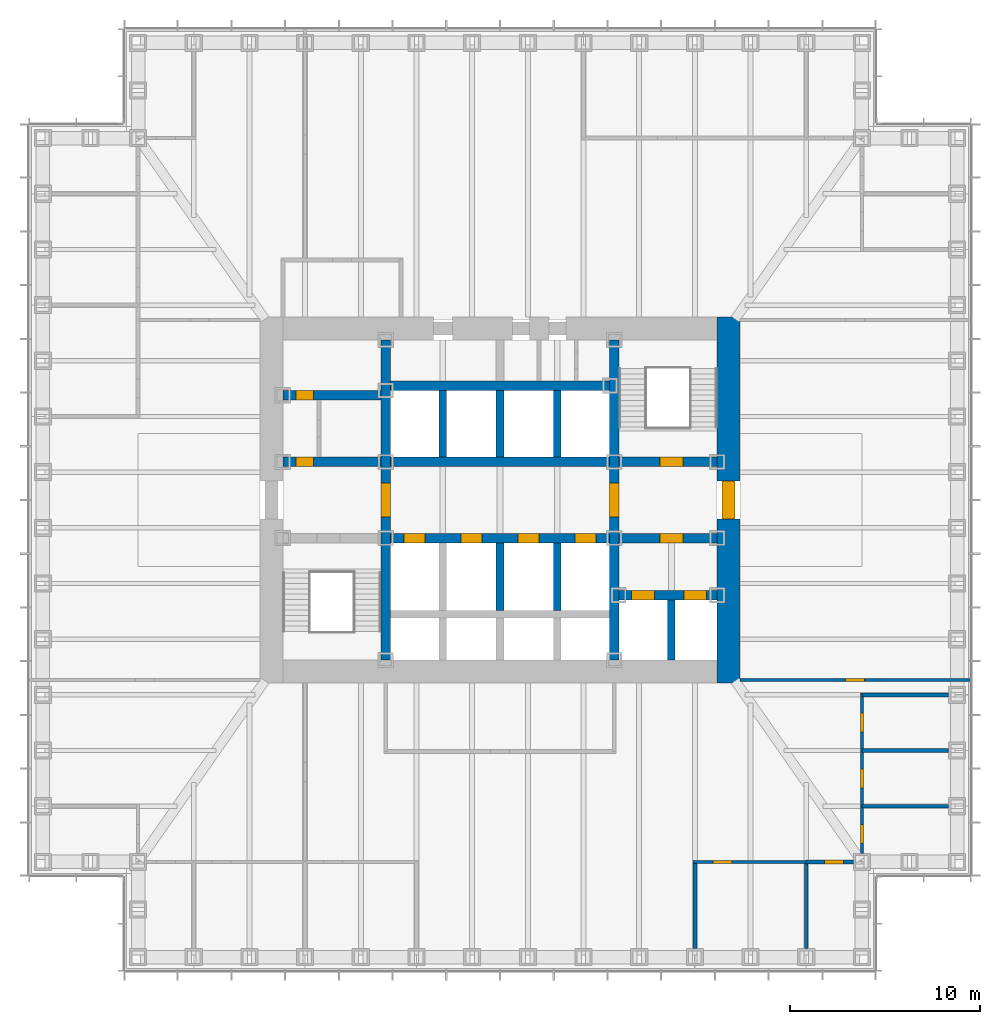
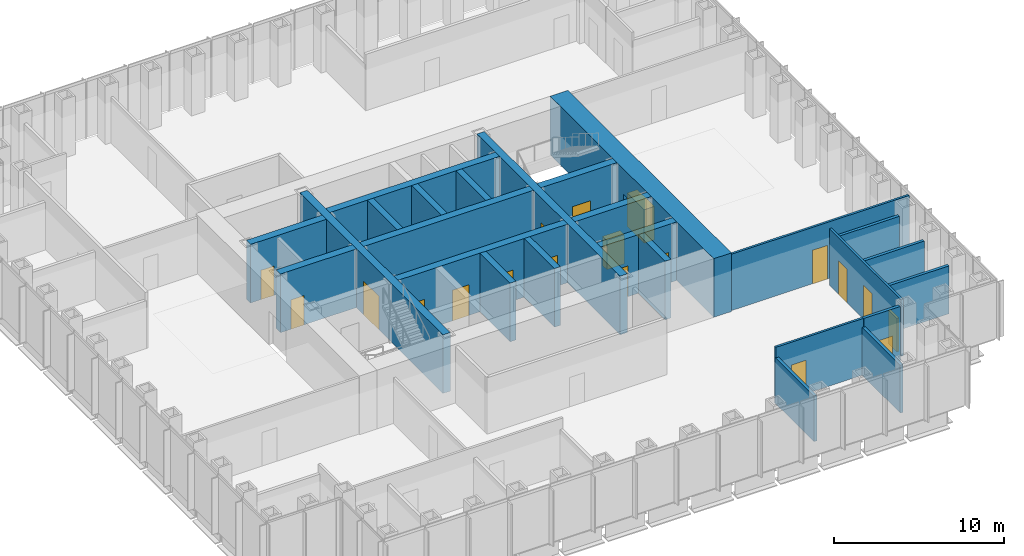
# One storey, part 9 of 17: 26 walls, 19 doors, 19 openings.
"""IFC4 building model written with IfcOpenShell, lengths in metres."""

from ifc_helpers import new_model, si_unit, direction, frame, frame_2d, origin, place, context, subcontext, project, spatial, rectangle, extrude, material, layer, layer_set, type_object, element, fill, save


model = new_model("IFC4")

# Units and contexts
model_context = context("Model", 3, precision=1e-05, world=origin(), true_north=direction((0.0, 1.0)))
body_context = subcontext(model_context, "Body", "Model", "MODEL_VIEW")
ifc_project = project(units=[si_unit("LENGTHUNIT", "METRE"), si_unit("AREAUNIT", "SQUARE_METRE"), si_unit("VOLUMEUNIT", "CUBIC_METRE"), si_unit("PLANEANGLEUNIT", "RADIAN"), si_unit("MASSUNIT", "GRAM", prefix="KILO")], contexts=[model_context])

# Site, building, storey
site_placement = place(None, origin())
site = spatial("IfcSite", under=ifc_project, at=site_placement, CompositionType="ELEMENT")
building_placement = place(site_placement, origin())
building = spatial("IfcBuilding", under=site, at=building_placement, Name="Daluyong Arena Tower", CompositionType="ELEMENT")
storey_placement = place(building_placement, frame((0.0, 0.0, 85.300048828125)))
storey = spatial("IfcBuildingStorey", under=building, at=storey_placement, Name="L18", CompositionType="ELEMENT", Elevation=85.300048828125)

# Wall, opening, door
ifc_material_1 = material(Name="Concrete fc' 45 MPa", Category="concrete")
ifc_layer_1 = layer(ifc_material_1, 0.5)
ifc_layer_set_1 = layer_set([ifc_layer_1], Name="Concrete fc' 45 MPa")
wall_type_1 = type_object("IfcWallType", Name="Core inner wall 500", PredefinedType="SHEAR", material=ifc_layer_set_1)
wall_1_placement = place(storey_placement, frame((50.0, 71.60009765625, 0.0), z_axis=(0.0, 0.0, 1.0), x_axis=(0.0, 1.0, 0.0)))
wall_1 = element("IfcWall", 1, at=wall_1_placement, inside=storey, type_object=wall_type_1, Name="core inner wall at L18", PredefinedType="SHEAR", context=body_context, shape_type="SweptSolid", body=[
    extrude(rectangle(XDim=16.7998046875, YDim=0.5, at=frame_2d((8.39990234375, 0.0))), origin(), (0.0, 0.0, 1.0), 4.199951171875),
])
opening_1_placement = place(wall_1_placement, frame((7.5, 0.0, 0.0)))
opening_1 = element("IfcOpeningElement", 2, at=opening_1_placement, cuts=wall_1, Name="Opening 18012", PredefinedType="OPENING", context=body_context, shape_type="SweptSolid", body=[
    extrude(rectangle(XDim=1.800048828125, YDim=2.39990234375, at=frame_2d((0.89990234375, 1.199951171875))), frame((0.0, 0.260009765625, 0.0), z_axis=(0.0, -1.0, 0.0), x_axis=(1.0, 0.0, 0.0)), (0.0, 0.0, 1.0), 0.52001953125),
])
ifc_material_2 = material(Name="Steel door, fire rated", Category="steel")
door_type_1 = type_object("IfcDoorType", Name="Lift lobby opening door 1800", OperationType="DOUBLE_DOOR_SINGLE_SWING", PredefinedType="DOOR", material=ifc_material_2)
door_1_placement = place(opening_1_placement, origin())
door_1 = element("IfcDoor", 3, at=door_1_placement, inside=storey, type_object=door_type_1, Name="lift lobby door west 18012", OperationType="DOUBLE_DOOR_SINGLE_SWING", OverallHeight=2.39990234375, OverallWidth=1.800048828125, PredefinedType="DOOR", context=body_context, shape_type="SweptSolid", body=[
    extrude(rectangle(XDim=1.800048828125, YDim=2.39990234375, at=frame_2d((0.89990234375, 1.199951171875))), frame((0.0, 0.249755859375, 0.0), z_axis=(0.0, -1.0, 0.0), x_axis=(1.0, 0.0, 0.0)), (0.0, 0.0, 1.0), 0.49951171875),
])
fill(opening_1, door_1)

wall_2_placement = place(storey_placement, frame((62.0, 71.60009765625, 0.0), z_axis=(0.0, 0.0, 1.0), x_axis=(0.0, 1.0, 0.0)))
wall_2 = element("IfcWall", 4, at=wall_2_placement, inside=storey, type_object=wall_type_1, Name="core inner wall at L18", PredefinedType="SHEAR", context=body_context, shape_type="SweptSolid", body=[
    extrude(rectangle(XDim=16.7998046875, YDim=0.5, at=frame_2d((8.39990234375, 0.0))), origin(), (0.0, 0.0, 1.0), 4.199951171875),
])
opening_2_placement = place(wall_2_placement, frame((7.5, 0.0, 0.0)))
opening_2 = element("IfcOpeningElement", 5, at=opening_2_placement, cuts=wall_2, Name="Opening 18013", PredefinedType="OPENING", context=body_context, shape_type="SweptSolid", body=[
    extrude(rectangle(XDim=1.800048828125, YDim=2.39990234375, at=frame_2d((0.89990234375, 1.199951171875))), frame((0.0, 0.260009765625, 0.0), z_axis=(0.0, -1.0, 0.0), x_axis=(1.0, 0.0, 0.0)), (0.0, 0.0, 1.0), 0.52001953125),
])
door_2_placement = place(opening_2_placement, origin())
door_2 = element("IfcDoor", 6, at=door_2_placement, inside=storey, type_object=door_type_1, Name="lift lobby door east 18013", OperationType="DOUBLE_DOOR_SINGLE_SWING", OverallHeight=2.39990234375, OverallWidth=1.800048828125, PredefinedType="DOOR", context=body_context, shape_type="SweptSolid", body=[
    extrude(rectangle(XDim=1.800048828125, YDim=2.39990234375, at=frame_2d((0.89990234375, 1.199951171875))), frame((0.0, 0.249755859375, 0.0), z_axis=(0.0, -1.0, 0.0), x_axis=(1.0, 0.0, 0.0)), (0.0, 0.0, 1.0), 0.49951171875),
])
fill(opening_2, door_2)

wall_3_placement = place(storey_placement, frame((44.60009765625, 82.0, 0.0), z_axis=(0.0, 0.0, 1.0), x_axis=(1.0, 0.0, 0.0)))
wall_3 = element("IfcWall", 7, at=wall_3_placement, inside=storey, type_object=wall_type_1, Name="core inner wall at L18", PredefinedType="SHEAR", context=body_context, shape_type="SweptSolid", body=[
    extrude(rectangle(XDim=5.14990234375, YDim=0.5, at=frame_2d((2.574951171875, 0.0))), origin(), (0.0, 0.0, 1.0), 4.199951171875),
])
opening_3_placement = place(wall_3_placement, frame((0.699951171875, 0.0, 0.0)))
opening_3 = element("IfcOpeningElement", 8, at=opening_3_placement, cuts=wall_3, Name="Opening 18001", PredefinedType="OPENING", context=body_context, shape_type="SweptSolid", body=[
    extrude(rectangle(XDim=0.89990234375, YDim=2.10009765625, at=frame_2d((0.449951171875, 1.050048828125))), frame((0.0, 0.260009765625, 0.0), z_axis=(0.0, -1.0, 0.0), x_axis=(1.0, 0.0, 0.0)), (0.0, 0.0, 1.0), 0.52001953125),
])
ifc_material_3 = material(Name="Steel door, fire rated", Category="steel")
door_type_2 = type_object("IfcDoorType", Name="Core room door 900", OperationType="SINGLE_SWING_LEFT", PredefinedType="DOOR", material=ifc_material_3)
door_3_placement = place(opening_3_placement, origin())
door_3 = element("IfcDoor", 9, at=door_3_placement, inside=storey, type_object=door_type_2, Name="toilet lobby door 18001", OperationType="SINGLE_SWING_LEFT", OverallHeight=2.10009765625, OverallWidth=0.89990234375, PredefinedType="DOOR", context=body_context, shape_type="SweptSolid", body=[
    extrude(rectangle(XDim=0.89990234375, YDim=2.10009765625, at=frame_2d((0.449951171875, 1.050048828125))), frame((0.0, 0.249755859375, 0.0), z_axis=(0.0, -1.0, 0.0), x_axis=(1.0, 0.0, 0.0)), (0.0, 0.0, 1.0), 0.49951171875),
])
fill(opening_3, door_3)

wall_4_placement = place(storey_placement, frame((44.60009765625, 85.5, 0.0), z_axis=(0.0, 0.0, 1.0), x_axis=(1.0, 0.0, 0.0)))
wall_4 = element("IfcWall", 10, at=wall_4_placement, inside=storey, type_object=wall_type_1, Name="core inner wall at L18", PredefinedType="SHEAR", context=body_context, shape_type="SweptSolid", body=[
    extrude(rectangle(XDim=5.14990234375, YDim=0.5, at=frame_2d((2.574951171875, 0.0))), origin(), (0.0, 0.0, 1.0), 4.199951171875),
])
opening_4_placement = place(wall_4_placement, frame((0.699951171875, 0.0, 0.0)))
opening_4 = element("IfcOpeningElement", 11, at=opening_4_placement, cuts=wall_4, Name="Opening 18003", PredefinedType="OPENING", context=body_context, shape_type="SweptSolid", body=[
    extrude(rectangle(XDim=0.89990234375, YDim=2.10009765625, at=frame_2d((0.449951171875, 1.050048828125))), frame((0.0, 0.260009765625, 0.0), z_axis=(0.0, -1.0, 0.0), x_axis=(1.0, 0.0, 0.0)), (0.0, 0.0, 1.0), 0.52001953125),
])
ifc_material_4 = material(Name="Timber door", Category="wood")
door_type_3 = type_object("IfcDoorType", Name="Toilet door 900", OperationType="SINGLE_SWING_RIGHT", PredefinedType="DOOR", material=ifc_material_4)
door_4_placement = place(opening_4_placement, origin())
door_4 = element("IfcDoor", 12, at=door_4_placement, inside=storey, type_object=door_type_3, Name="female toilet door 18003", OperationType="SINGLE_SWING_RIGHT", OverallHeight=2.10009765625, OverallWidth=0.89990234375, PredefinedType="DOOR", context=body_context, shape_type="SweptSolid", body=[
    extrude(rectangle(XDim=0.89990234375, YDim=2.10009765625, at=frame_2d((0.449951171875, 1.050048828125))), frame((0.0, 0.249755859375, 0.0), z_axis=(0.0, -1.0, 0.0), x_axis=(1.0, 0.0, 0.0)), (0.0, 0.0, 1.0), 0.49951171875),
])
fill(opening_4, door_4)

# Wall, openings, doors
wall_5_placement = place(storey_placement, frame((62.25, 75.0, 0.0), z_axis=(0.0, 0.0, 1.0), x_axis=(1.0, 0.0, 0.0)))
wall_5 = element("IfcWall", 13, at=wall_5_placement, inside=storey, type_object=wall_type_1, Name="core inner wall at L18", PredefinedType="SHEAR", context=body_context, shape_type="SweptSolid", body=[
    extrude(rectangle(XDim=5.14990234375, YDim=0.5, at=frame_2d((2.574951171875, 0.0))), origin(), (0.0, 0.0, 1.0), 4.199951171875),
])
opening_5_placement = place(wall_5_placement, frame((0.64990234375, 0.0, 0.0)))
opening_5 = element("IfcOpeningElement", 14, at=opening_5_placement, cuts=wall_5, Name="Opening 18019", PredefinedType="OPENING", context=body_context, shape_type="SweptSolid", body=[
    extrude(rectangle(XDim=1.199951171875, YDim=2.199951171875, at=frame_2d((0.60009765625, 1.10009765625))), frame((0.0, 0.260009765625, 0.0), z_axis=(0.0, -1.0, 0.0), x_axis=(1.0, 0.0, 0.0)), (0.0, 0.0, 1.0), 0.52001953125),
])
opening_6_placement = place(wall_5_placement, frame((3.39990234375, 0.0, 0.0)))
opening_6 = element("IfcOpeningElement", 15, at=opening_6_placement, cuts=wall_5, Name="Opening 18020", PredefinedType="OPENING", context=body_context, shape_type="SweptSolid", body=[
    extrude(rectangle(XDim=1.199951171875, YDim=2.199951171875, at=frame_2d((0.60009765625, 1.10009765625))), frame((0.0, 0.260009765625, 0.0), z_axis=(0.0, -1.0, 0.0), x_axis=(1.0, 0.0, 0.0)), (0.0, 0.0, 1.0), 0.52001953125),
])
ifc_material_5 = material(Name="Steel door, fire rated", Category="steel")
door_type_4 = type_object("IfcDoorType", Name="Firefighting lift landing door 1200", OperationType="SLIDING_TO_LEFT", PredefinedType="DOOR", material=ifc_material_5)
door_5_placement = place(opening_5_placement, origin())
door_5 = element("IfcDoor", 16, at=door_5_placement, inside=storey, type_object=door_type_4, Name="firefighting lift landing door F1 18019", OperationType="SLIDING_TO_LEFT", OverallHeight=2.199951171875, OverallWidth=1.199951171875, PredefinedType="DOOR", context=body_context, shape_type="SweptSolid", body=[
    extrude(rectangle(XDim=1.199951171875, YDim=2.199951171875, at=frame_2d((0.60009765625, 1.10009765625))), frame((0.0, 0.249755859375, 0.0), z_axis=(0.0, -1.0, 0.0), x_axis=(1.0, 0.0, 0.0)), (0.0, 0.0, 1.0), 0.49951171875),
])
fill(opening_5, door_5)
door_6_placement = place(opening_6_placement, origin())
door_6 = element("IfcDoor", 17, at=door_6_placement, inside=storey, type_object=door_type_4, Name="firefighting lift landing door F2 18020", OperationType="SLIDING_TO_LEFT", OverallHeight=2.199951171875, OverallWidth=1.199951171875, PredefinedType="DOOR", context=body_context, shape_type="SweptSolid", body=[
    extrude(rectangle(XDim=1.199951171875, YDim=2.199951171875, at=frame_2d((0.60009765625, 1.10009765625))), frame((0.0, 0.249755859375, 0.0), z_axis=(0.0, -1.0, 0.0), x_axis=(1.0, 0.0, 0.0)), (0.0, 0.0, 1.0), 0.49951171875),
])
fill(opening_6, door_6)

# Wall, opening, door
wall_6_placement = place(storey_placement, frame((62.25, 78.0, 0.0), z_axis=(0.0, 0.0, 1.0), x_axis=(1.0, 0.0, 0.0)))
wall_6 = element("IfcWall", 18, at=wall_6_placement, inside=storey, type_object=wall_type_1, Name="core inner wall at L18", PredefinedType="SHEAR", context=body_context, shape_type="SweptSolid", body=[
    extrude(rectangle(XDim=5.14990234375, YDim=0.5, at=frame_2d((2.574951171875, 0.0))), origin(), (0.0, 0.0, 1.0), 4.199951171875),
])
opening_7_placement = place(wall_6_placement, frame((2.14990234375, 0.0, 0.0)))
opening_7 = element("IfcOpeningElement", 19, at=opening_7_placement, cuts=wall_6, Name="Opening 18014", PredefinedType="OPENING", context=body_context, shape_type="SweptSolid", body=[
    extrude(rectangle(XDim=1.199951171875, YDim=2.10009765625, at=frame_2d((0.60009765625, 1.050048828125))), frame((0.0, 0.260009765625, 0.0), z_axis=(0.0, -1.0, 0.0), x_axis=(1.0, 0.0, 0.0)), (0.0, 0.0, 1.0), 0.52001953125),
])
ifc_material_6 = material(Name="Steel door, fire rated", Category="steel")
door_type_5 = type_object("IfcDoorType", Name="Firefighting lobby door 1200", OperationType="SINGLE_SWING_RIGHT", PredefinedType="DOOR", material=ifc_material_6)
door_7_placement = place(opening_7_placement, origin())
door_7 = element("IfcDoor", 20, at=door_7_placement, inside=storey, type_object=door_type_5, Name="firefighting lobby door 18014", OperationType="SINGLE_SWING_RIGHT", OverallHeight=2.10009765625, OverallWidth=1.199951171875, PredefinedType="DOOR", context=body_context, shape_type="SweptSolid", body=[
    extrude(rectangle(XDim=1.199951171875, YDim=2.10009765625, at=frame_2d((0.60009765625, 1.050048828125))), frame((0.0, 0.249755859375, 0.0), z_axis=(0.0, -1.0, 0.0), x_axis=(1.0, 0.0, 0.0)), (0.0, 0.0, 1.0), 0.49951171875),
])
fill(opening_7, door_7)

wall_7_placement = place(storey_placement, frame((62.25, 82.0, 0.0), z_axis=(0.0, 0.0, 1.0), x_axis=(1.0, 0.0, 0.0)))
wall_7 = element("IfcWall", 21, at=wall_7_placement, inside=storey, type_object=wall_type_1, Name="core inner wall at L18", PredefinedType="SHEAR", context=body_context, shape_type="SweptSolid", body=[
    extrude(rectangle(XDim=5.14990234375, YDim=0.5, at=frame_2d((2.574951171875, 0.0))), origin(), (0.0, 0.0, 1.0), 4.199951171875),
])
opening_8_placement = place(wall_7_placement, frame((2.14990234375, 0.0, 0.0)))
opening_8 = element("IfcOpeningElement", 22, at=opening_8_placement, cuts=wall_7, Name="Opening 18009", PredefinedType="OPENING", context=body_context, shape_type="SweptSolid", body=[
    extrude(rectangle(XDim=1.199951171875, YDim=2.10009765625, at=frame_2d((0.60009765625, 1.050048828125))), frame((0.0, 0.260009765625, 0.0), z_axis=(0.0, -1.0, 0.0), x_axis=(1.0, 0.0, 0.0)), (0.0, 0.0, 1.0), 0.52001953125),
])
ifc_material_7 = material(Name="Steel door, fire rated", Category="steel")
door_type_6 = type_object("IfcDoorType", Name="Stair door 1200", OperationType="SINGLE_SWING_LEFT", PredefinedType="DOOR", material=ifc_material_7)
door_8_placement = place(opening_8_placement, origin())
door_8 = element("IfcDoor", 23, at=door_8_placement, inside=storey, type_object=door_type_6, Name="stair B door 18009", OperationType="SINGLE_SWING_LEFT", OverallHeight=2.10009765625, OverallWidth=1.199951171875, PredefinedType="DOOR", context=body_context, shape_type="SweptSolid", body=[
    extrude(rectangle(XDim=1.199951171875, YDim=2.10009765625, at=frame_2d((0.60009765625, 1.050048828125))), frame((0.0, 0.249755859375, 0.0), z_axis=(0.0, -1.0, 0.0), x_axis=(1.0, 0.0, 0.0)), (0.0, 0.0, 1.0), 0.49951171875),
])
fill(opening_8, door_8)

# Wall, openings, doors
wall_8_placement = place(storey_placement, frame((50.25, 78.0, 0.0), z_axis=(0.0, 0.0, 1.0), x_axis=(1.0, 0.0, 0.0)))
wall_8 = element("IfcWall", 24, at=wall_8_placement, inside=storey, type_object=wall_type_1, Name="core inner wall at L18", PredefinedType="SHEAR", context=body_context, shape_type="SweptSolid", body=[
    extrude(rectangle(XDim=11.5, YDim=0.5, at=frame_2d((5.75, 0.0))), origin(), (0.0, 0.0, 1.0), 4.199951171875),
])
opening_9_placement = place(wall_8_placement, frame((0.699951171875, 0.0, 0.0)))
opening_9 = element("IfcOpeningElement", 25, at=opening_9_placement, cuts=wall_8, Name="Opening 18015", PredefinedType="OPENING", context=body_context, shape_type="SweptSolid", body=[
    extrude(rectangle(XDim=1.10009765625, YDim=2.199951171875, at=frame_2d((0.550048828125, 1.10009765625))), frame((0.0, 0.260009765625, 0.0), z_axis=(0.0, -1.0, 0.0), x_axis=(1.0, 0.0, 0.0)), (0.0, 0.0, 1.0), 0.52001953125),
])
opening_10_placement = place(wall_8_placement, frame((3.699951171875, 0.0, 0.0)))
opening_10 = element("IfcOpeningElement", 26, at=opening_10_placement, cuts=wall_8, Name="Opening 18016", PredefinedType="OPENING", context=body_context, shape_type="SweptSolid", body=[
    extrude(rectangle(XDim=1.10009765625, YDim=2.199951171875, at=frame_2d((0.550048828125, 1.10009765625))), frame((0.0, 0.260009765625, 0.0), z_axis=(0.0, -1.0, 0.0), x_axis=(1.0, 0.0, 0.0)), (0.0, 0.0, 1.0), 0.52001953125),
])
opening_11_placement = place(wall_8_placement, frame((6.699951171875, 0.0, 0.0)))
opening_11 = element("IfcOpeningElement", 27, at=opening_11_placement, cuts=wall_8, Name="Opening 18017", PredefinedType="OPENING", context=body_context, shape_type="SweptSolid", body=[
    extrude(rectangle(XDim=1.10009765625, YDim=2.199951171875, at=frame_2d((0.550048828125, 1.10009765625))), frame((0.0, 0.260009765625, 0.0), z_axis=(0.0, -1.0, 0.0), x_axis=(1.0, 0.0, 0.0)), (0.0, 0.0, 1.0), 0.52001953125),
])
opening_12_placement = place(wall_8_placement, frame((9.699951171875, 0.0, 0.0)))
opening_12 = element("IfcOpeningElement", 28, at=opening_12_placement, cuts=wall_8, Name="Opening 18018", PredefinedType="OPENING", context=body_context, shape_type="SweptSolid", body=[
    extrude(rectangle(XDim=1.10009765625, YDim=2.199951171875, at=frame_2d((0.550048828125, 1.10009765625))), frame((0.0, 0.260009765625, 0.0), z_axis=(0.0, -1.0, 0.0), x_axis=(1.0, 0.0, 0.0)), (0.0, 0.0, 1.0), 0.52001953125),
])
ifc_material_8 = material(Name="Steel door, fire rated", Category="steel")
door_type_7 = type_object("IfcDoorType", Name="Lift landing door 1100", OperationType="SLIDING_TO_LEFT", PredefinedType="DOOR", material=ifc_material_8)
door_9_placement = place(opening_9_placement, origin())
door_9 = element("IfcDoor", 29, at=door_9_placement, inside=storey, type_object=door_type_7, Name="lift landing door A1 18015", OperationType="SLIDING_TO_LEFT", OverallHeight=2.199951171875, OverallWidth=1.10009765625, PredefinedType="DOOR", context=body_context, shape_type="SweptSolid", body=[
    extrude(rectangle(XDim=1.10009765625, YDim=2.199951171875, at=frame_2d((0.550048828125, 1.10009765625))), frame((0.0, 0.249755859375, 0.0), z_axis=(0.0, -1.0, 0.0), x_axis=(1.0, 0.0, 0.0)), (0.0, 0.0, 1.0), 0.49951171875),
])
fill(opening_9, door_9)
door_10_placement = place(opening_10_placement, origin())
door_10 = element("IfcDoor", 30, at=door_10_placement, inside=storey, type_object=door_type_7, Name="lift landing door A2 18016", OperationType="SLIDING_TO_LEFT", OverallHeight=2.199951171875, OverallWidth=1.10009765625, PredefinedType="DOOR", context=body_context, shape_type="SweptSolid", body=[
    extrude(rectangle(XDim=1.10009765625, YDim=2.199951171875, at=frame_2d((0.550048828125, 1.10009765625))), frame((0.0, 0.249755859375, 0.0), z_axis=(0.0, -1.0, 0.0), x_axis=(1.0, 0.0, 0.0)), (0.0, 0.0, 1.0), 0.49951171875),
])
fill(opening_10, door_10)
door_11_placement = place(opening_11_placement, origin())
door_11 = element("IfcDoor", 31, at=door_11_placement, inside=storey, type_object=door_type_7, Name="lift landing door A3 18017", OperationType="SLIDING_TO_LEFT", OverallHeight=2.199951171875, OverallWidth=1.10009765625, PredefinedType="DOOR", context=body_context, shape_type="SweptSolid", body=[
    extrude(rectangle(XDim=1.10009765625, YDim=2.199951171875, at=frame_2d((0.550048828125, 1.10009765625))), frame((0.0, 0.249755859375, 0.0), z_axis=(0.0, -1.0, 0.0), x_axis=(1.0, 0.0, 0.0)), (0.0, 0.0, 1.0), 0.49951171875),
])
fill(opening_11, door_11)
door_12_placement = place(opening_12_placement, origin())
door_12 = element("IfcDoor", 32, at=door_12_placement, inside=storey, type_object=door_type_7, Name="lift landing door A4 18018", OperationType="SLIDING_TO_LEFT", OverallHeight=2.199951171875, OverallWidth=1.10009765625, PredefinedType="DOOR", context=body_context, shape_type="SweptSolid", body=[
    extrude(rectangle(XDim=1.10009765625, YDim=2.199951171875, at=frame_2d((0.550048828125, 1.10009765625))), frame((0.0, 0.249755859375, 0.0), z_axis=(0.0, -1.0, 0.0), x_axis=(1.0, 0.0, 0.0)), (0.0, 0.0, 1.0), 0.49951171875),
])
fill(opening_12, door_12)

# Walls
for number, where, z_axis, x_axis, name in (
    (33, (50.25, 82.0, 0.0), (0.0, 0.0, 1.0), (1.0, 0.0, 0.0), "core inner wall at L18"),
    (34, (50.25, 86.0, 0.0), (0.0, 0.0, 1.0), (1.0, 0.0, 0.0), "core inner wall at L18"),
):
    element("IfcWall", number, at=place(storey_placement, frame(where, z_axis=z_axis, x_axis=x_axis)), inside=storey, type_object=wall_type_1, Name=name, PredefinedType="SHEAR", context=body_context, shape_type="SweptSolid", body=[
        extrude(rectangle(XDim=11.5, YDim=0.5, at=frame_2d((5.75, 0.0))), origin(), (0.0, 0.0, 1.0), 4.199951171875),
    ])

# Wall, opening, door
ifc_material_9 = material(Name="Concrete fc' 60 MPa", Category="concrete")
ifc_layer_2 = layer(ifc_material_9, 1.199951171875)
ifc_layer_set_2 = layer_set([ifc_layer_2], Name="Concrete fc' 60 MPa")
wall_type_2 = type_object("IfcWallType", Name="Core wall 1200", PredefinedType="SHEAR", material=ifc_layer_set_2)
wall_9_placement = place(storey_placement, frame((68.0, 70.39990234375, 0.0), z_axis=(0.0, 0.0, 1.0), x_axis=(0.0, 1.0, 0.0)))
wall_9 = element("IfcWall", 35, at=wall_9_placement, inside=storey, type_object=wall_type_2, Name="core wall at L18", PredefinedType="SHEAR", context=body_context, shape_type="SweptSolid", body=[
    extrude(rectangle(XDim=19.2001953125, YDim=1.199951171875, at=frame_2d((9.60009765625, 0.0))), origin(), (0.0, 0.0, 1.0), 4.199951171875),
])
opening_13_placement = place(wall_9_placement, frame((8.60009765625, 0.0, 0.0)))
opening_13 = element("IfcOpeningElement", 36, at=opening_13_placement, cuts=wall_9, Name="Opening 18011", PredefinedType="OPENING", context=body_context, shape_type="SweptSolid", body=[
    extrude(rectangle(XDim=2.0, YDim=2.39990234375, at=frame_2d((1.0, 1.199951171875))), frame((0.0, 0.60986328125, 0.0), z_axis=(0.0, -1.0, 0.0), x_axis=(1.0, 0.0, 0.0)), (0.0, 0.0, 1.0), 1.219970703125),
])
ifc_material_10 = material(Name="Steel door, fire rated", Category="steel")
door_type_8 = type_object("IfcDoorType", Name="Core lobby double door 2000", OperationType="DOUBLE_DOOR_SINGLE_SWING", PredefinedType="DOOR", material=ifc_material_10)
door_13_placement = place(opening_13_placement, origin())
door_13 = element("IfcDoor", 37, at=door_13_placement, inside=storey, type_object=door_type_8, Name="core lobby door east 18011", OperationType="DOUBLE_DOOR_SINGLE_SWING", OverallHeight=2.39990234375, OverallWidth=2.0, PredefinedType="DOOR", context=body_context, shape_type="SweptSolid", body=[
    extrude(rectangle(XDim=2.0, YDim=2.39990234375, at=frame_2d((1.0, 1.199951171875))), frame((0.0, 0.35009765625, 0.0), z_axis=(0.0, -1.0, 0.0), x_axis=(1.0, 0.0, 0.0)), (0.0, 0.0, 1.0), 0.699951171875),
])
fill(opening_13, door_13)

ifc_material_11 = material(Name="Glazed aluminium partition", Category="aluminium")
ifc_layer_3 = layer(ifc_material_11, 0.14990234375)
ifc_layer_set_3 = layer_set([ifc_layer_3], Name="Glazed aluminium partition")
wall_type_3 = type_object("IfcWallType", Name="Glazed partition 150", PredefinedType="PARTITIONING", material=ifc_layer_set_3)
wall_10_placement = place(storey_placement, frame((66.130859375, 61.0, 0.0), z_axis=(0.0, 0.0, 1.0), x_axis=(1.0, 0.0, 0.0)))
wall_10 = element("IfcWall", 38, at=wall_10_placement, inside=storey, type_object=wall_type_3, Name="glazed partition at L18", PredefinedType="PARTITIONING", context=body_context, shape_type="SweptSolid", body=[
    extrude(rectangle(XDim=5.946044921875, YDim=0.14990234375, at=frame_2d((2.97314453125, 0.0))), origin(), (0.0, 0.0, 1.0), 4.0400390625),
])
opening_14_placement = place(wall_10_placement, frame((1.0615234375, 0.0, 0.0)))
opening_14 = element("IfcOpeningElement", 39, at=opening_14_placement, cuts=wall_10, Name="Opening 18024", PredefinedType="OPENING", context=body_context, shape_type="SweptSolid", body=[
    extrude(rectangle(XDim=1.0, YDim=2.39990234375, at=frame_2d((0.5, 1.199951171875))), frame((0.0, 0.0849609375, 0.0), z_axis=(0.0, -1.0, 0.0), x_axis=(1.0, 0.0, 0.0)), (0.0, 0.0, 1.0), 0.169921875),
])
ifc_material_12 = material(Name="Glazed aluminium door", Category="aluminium")
door_type_9 = type_object("IfcDoorType", Name="Meeting room glazed door 1000", OperationType="SINGLE_SWING_RIGHT", PredefinedType="DOOR", material=ifc_material_12)
door_14_placement = place(opening_14_placement, origin())
door_14 = element("IfcDoor", 40, at=door_14_placement, inside=storey, type_object=door_type_9, Name="meeting room door 18024", OperationType="SINGLE_SWING_RIGHT", OverallHeight=2.39990234375, OverallWidth=1.0, PredefinedType="DOOR", context=body_context, shape_type="SweptSolid", body=[
    extrude(rectangle(XDim=1.0, YDim=2.39990234375, at=frame_2d((0.5, 1.199951171875))), frame((0.0, 0.07470703125, 0.0), z_axis=(0.0, -1.0, 0.0), x_axis=(1.0, 0.0, 0.0)), (0.0, 0.0, 1.0), 0.1494140625),
])
fill(opening_14, door_14)

wall_11_placement = place(storey_placement, frame((68.60009765625, 70.550048828125, 0.0), z_axis=(0.0, 0.0, 1.0), x_axis=(1.0, 0.0, 0.0)))
wall_11 = element("IfcWall", 41, at=wall_11_placement, inside=storey, type_object=wall_type_3, Name="glazed partition at L18", PredefinedType="PARTITIONING", context=body_context, shape_type="SweptSolid", body=[
    extrude(rectangle(XDim=12.08984375, YDim=0.14990234375, at=frame_2d((6.044921875, 0.0))), origin(), (0.0, 0.0, 1.0), 4.0400390625),
])
opening_15_placement = place(wall_11_placement, frame((5.544921875, 0.0, 0.0)))
opening_15 = element("IfcOpeningElement", 42, at=opening_15_placement, cuts=wall_11, Name="Opening 18042", PredefinedType="OPENING", context=body_context, shape_type="SweptSolid", body=[
    extrude(rectangle(XDim=1.0, YDim=2.39990234375, at=frame_2d((0.5, 1.199951171875))), frame((0.0, 0.0849609375, 0.0), z_axis=(0.0, -1.0, 0.0), x_axis=(1.0, 0.0, 0.0)), (0.0, 0.0, 1.0), 0.169921875),
])
door_15_placement = place(opening_15_placement, origin())
door_15 = element("IfcDoor", 43, at=door_15_placement, inside=storey, type_object=door_type_9, Name="team area screen door 18042", OperationType="SINGLE_SWING_RIGHT", OverallHeight=2.39990234375, OverallWidth=1.0, PredefinedType="DOOR", context=body_context, shape_type="SweptSolid", body=[
    extrude(rectangle(XDim=1.0, YDim=2.39990234375, at=frame_2d((0.5, 1.199951171875))), frame((0.0, 0.07470703125, 0.0), z_axis=(0.0, -1.0, 0.0), x_axis=(1.0, 0.0, 0.0)), (0.0, 0.0, 1.0), 0.1494140625),
])
fill(opening_15, door_15)

# Wall, openings, doors
wall_12_placement = place(storey_placement, frame((75.0, 61.449951171875, 0.0), z_axis=(0.0, 0.0, 1.0), x_axis=(0.0, 1.0, 0.0)))
wall_12 = element("IfcWall", 44, at=wall_12_placement, inside=storey, type_object=wall_type_3, Name="glazed partition at L18", PredefinedType="PARTITIONING", context=body_context, shape_type="SweptSolid", body=[
    extrude(rectangle(XDim=8.419189453125, YDim=0.14990234375, at=frame_2d((4.20947265625, 0.0))), origin(), (0.0, 0.0, 1.0), 4.0400390625),
])
opening_16_placement = place(wall_12_placement, frame((0.511474609375, 0.0, 0.0)))
opening_16 = element("IfcOpeningElement", 45, at=opening_16_placement, cuts=wall_12, Name="Opening 18026", PredefinedType="OPENING", context=body_context, shape_type="SweptSolid", body=[
    extrude(rectangle(XDim=1.0, YDim=2.39990234375, at=frame_2d((0.5, 1.199951171875))), frame((0.0, 0.0849609375, 0.0), z_axis=(0.0, -1.0, 0.0), x_axis=(1.0, 0.0, 0.0)), (0.0, 0.0, 1.0), 0.169921875),
])
opening_17_placement = place(wall_12_placement, frame((3.4345703125, 0.0, 0.0)))
opening_17 = element("IfcOpeningElement", 46, at=opening_17_placement, cuts=wall_12, Name="Opening 18027", PredefinedType="OPENING", context=body_context, shape_type="SweptSolid", body=[
    extrude(rectangle(XDim=1.0, YDim=2.39990234375, at=frame_2d((0.5, 1.199951171875))), frame((0.0, 0.0849609375, 0.0), z_axis=(0.0, -1.0, 0.0), x_axis=(1.0, 0.0, 0.0)), (0.0, 0.0, 1.0), 0.169921875),
])
opening_18_placement = place(wall_12_placement, frame((6.357666015625, 0.0, 0.0)))
opening_18 = element("IfcOpeningElement", 47, at=opening_18_placement, cuts=wall_12, Name="Opening 18028", PredefinedType="OPENING", context=body_context, shape_type="SweptSolid", body=[
    extrude(rectangle(XDim=1.0, YDim=2.39990234375, at=frame_2d((0.5, 1.199951171875))), frame((0.0, 0.0849609375, 0.0), z_axis=(0.0, -1.0, 0.0), x_axis=(1.0, 0.0, 0.0)), (0.0, 0.0, 1.0), 0.169921875),
])
door_16_placement = place(opening_16_placement, origin())
door_16 = element("IfcDoor", 48, at=door_16_placement, inside=storey, type_object=door_type_9, Name="focus room door 18026", OperationType="SINGLE_SWING_RIGHT", OverallHeight=2.39990234375, OverallWidth=1.0, PredefinedType="DOOR", context=body_context, shape_type="SweptSolid", body=[
    extrude(rectangle(XDim=1.0, YDim=2.39990234375, at=frame_2d((0.5, 1.199951171875))), frame((0.0, 0.07470703125, 0.0), z_axis=(0.0, -1.0, 0.0), x_axis=(1.0, 0.0, 0.0)), (0.0, 0.0, 1.0), 0.1494140625),
])
fill(opening_16, door_16)
door_17_placement = place(opening_17_placement, origin())
door_17 = element("IfcDoor", 49, at=door_17_placement, inside=storey, type_object=door_type_9, Name="focus room door 18027", OperationType="SINGLE_SWING_RIGHT", OverallHeight=2.39990234375, OverallWidth=1.0, PredefinedType="DOOR", context=body_context, shape_type="SweptSolid", body=[
    extrude(rectangle(XDim=1.0, YDim=2.39990234375, at=frame_2d((0.5, 1.199951171875))), frame((0.0, 0.07470703125, 0.0), z_axis=(0.0, -1.0, 0.0), x_axis=(1.0, 0.0, 0.0)), (0.0, 0.0, 1.0), 0.1494140625),
])
fill(opening_17, door_17)
door_18_placement = place(opening_18_placement, origin())
door_18 = element("IfcDoor", 50, at=door_18_placement, inside=storey, type_object=door_type_9, Name="focus room door 18028", OperationType="SINGLE_SWING_RIGHT", OverallHeight=2.39990234375, OverallWidth=1.0, PredefinedType="DOOR", context=body_context, shape_type="SweptSolid", body=[
    extrude(rectangle(XDim=1.0, YDim=2.39990234375, at=frame_2d((0.5, 1.199951171875))), frame((0.0, 0.07470703125, 0.0), z_axis=(0.0, -1.0, 0.0), x_axis=(1.0, 0.0, 0.0)), (0.0, 0.0, 1.0), 0.1494140625),
])
fill(opening_18, door_18)

# Walls
ifc_material_13 = material(Name="Concrete fc' 45 MPa", Category="concrete")
ifc_layer_4 = layer(ifc_material_13, 0.39990234375)
ifc_layer_set_4 = layer_set([ifc_layer_4], Name="Concrete fc' 45 MPa")
wall_type_4 = type_object("IfcWallType", Name="Lift shaft wall 400", PredefinedType="SHEAR", material=ifc_layer_set_4)
wall_13_placement = place(storey_placement, frame((53.0, 82.25, 0.0), z_axis=(0.0, 0.0, 1.0), x_axis=(0.0, 1.0, 0.0)))
element("IfcWall", 51, at=wall_13_placement, inside=storey, type_object=wall_type_4, Name="lift shaft wall at L18", PredefinedType="SHEAR", context=body_context, shape_type="SweptSolid", body=[
    extrude(rectangle(XDim=3.5, YDim=0.39990234375, at=frame_2d((1.75, 0.0))), origin(), (0.0, 0.0, 1.0), 4.199951171875),
])
wall_14_placement = place(storey_placement, frame((56.0, 74.199951171875, 0.0), z_axis=(0.0, 0.0, 1.0), x_axis=(0.0, 1.0, 0.0)))
element("IfcWall", 52, at=wall_14_placement, inside=storey, type_object=wall_type_4, Name="lift shaft wall at L18", PredefinedType="SHEAR", context=body_context, shape_type="SweptSolid", body=[
    extrude(rectangle(XDim=3.550048828125, YDim=0.39990234375, at=frame_2d((1.77490234375, 0.0))), origin(), (0.0, 0.0, 1.0), 4.199951171875),
])
wall_15_placement = place(storey_placement, frame((56.0, 82.25, 0.0), z_axis=(0.0, 0.0, 1.0), x_axis=(0.0, 1.0, 0.0)))
element("IfcWall", 53, at=wall_15_placement, inside=storey, type_object=wall_type_4, Name="lift shaft wall at L18", PredefinedType="SHEAR", context=body_context, shape_type="SweptSolid", body=[
    extrude(rectangle(XDim=3.5, YDim=0.39990234375, at=frame_2d((1.75, 0.0))), origin(), (0.0, 0.0, 1.0), 4.199951171875),
])
wall_16_placement = place(storey_placement, frame((59.0, 74.199951171875, 0.0), z_axis=(0.0, 0.0, 1.0), x_axis=(0.0, 1.0, 0.0)))
element("IfcWall", 54, at=wall_16_placement, inside=storey, type_object=wall_type_4, Name="lift shaft wall at L18", PredefinedType="SHEAR", context=body_context, shape_type="SweptSolid", body=[
    extrude(rectangle(XDim=3.550048828125, YDim=0.39990234375, at=frame_2d((1.77490234375, 0.0))), origin(), (0.0, 0.0, 1.0), 4.199951171875),
])
wall_17_placement = place(storey_placement, frame((59.0, 82.25, 0.0), z_axis=(0.0, 0.0, 1.0), x_axis=(0.0, 1.0, 0.0)))
element("IfcWall", 55, at=wall_17_placement, inside=storey, type_object=wall_type_4, Name="lift shaft wall at L18", PredefinedType="SHEAR", context=body_context, shape_type="SweptSolid", body=[
    extrude(rectangle(XDim=3.5, YDim=0.39990234375, at=frame_2d((1.75, 0.0))), origin(), (0.0, 0.0, 1.0), 4.199951171875),
])
wall_18_placement = place(storey_placement, frame((65.0, 71.60009765625, 0.0), z_axis=(0.0, 0.0, 1.0), x_axis=(0.0, 1.0, 0.0)))
element("IfcWall", 56, at=wall_18_placement, inside=storey, type_object=wall_type_4, Name="lift shaft wall at L18", PredefinedType="SHEAR", context=body_context, shape_type="SweptSolid", body=[
    extrude(rectangle(XDim=3.14990234375, YDim=0.39990234375, at=frame_2d((1.574951171875, 0.0))), origin(), (0.0, 0.0, 1.0), 4.199951171875),
])
ifc_material_14 = material(Name="Concrete block partition", Category="concrete")
ifc_layer_5 = layer(ifc_material_14, 0.199951171875)
ifc_layer_set_5 = layer_set([ifc_layer_5], Name="Concrete block partition")
wall_type_5 = type_object("IfcWallType", Name="Partition 200", PredefinedType="PARTITIONING", material=ifc_layer_set_5)
wall_19_placement = place(storey_placement, frame((66.230712890625, 56.449951171875, 0.0), z_axis=(0.0, 0.0, 1.0), x_axis=(0.0, 1.0, 0.0)))
element("IfcWall", 57, at=wall_19_placement, inside=storey, type_object=wall_type_5, Name="partition at L18", PredefinedType="PARTITIONING", context=body_context, shape_type="SweptSolid", body=[
    extrude(rectangle(XDim=4.550048828125, YDim=0.199951171875, at=frame_2d((2.27490234375, 0.0))), origin(), (0.0, 0.0, 1.0), 3.27783203125),
])
for number, where, z_axis, x_axis, name in (
    (58, (72.076904296875, 56.449951171875, 0.0), (0.0, 0.0, 1.0), (0.0, 1.0, 0.0), "partition at L18"),
    (59, (75.0, 63.923095703125, 0.0), (0.0, 0.0, 1.0), (1.0, 0.0, 0.0), "partition at L18"),
    (60, (75.0, 66.84619140625, 0.0), (0.0, 0.0, 1.0), (1.0, 0.0, 0.0), "partition at L18"),
    (61, (75.0, 69.769287109375, 0.0), (0.0, 0.0, 1.0), (1.0, 0.0, 0.0), "partition at L18"),
):
    element("IfcWall", number, at=place(storey_placement, frame(where, z_axis=z_axis, x_axis=x_axis)), inside=storey, type_object=wall_type_5, Name=name, PredefinedType="PARTITIONING", context=body_context, shape_type="SweptSolid", body=[
        extrude(rectangle(XDim=4.550048828125, YDim=0.199951171875, at=frame_2d((2.27490234375, 0.0))), origin(), (0.0, 0.0, 1.0), 3.427734375),
    ])

# Wall, opening, door
wall_20_placement = place(storey_placement, frame((72.076904296875, 61.0, 0.0), z_axis=(0.0, 0.0, 1.0), x_axis=(1.0, 0.0, 0.0)))
wall_20 = element("IfcWall", 62, at=wall_20_placement, inside=storey, type_object=wall_type_5, Name="partition at L18", PredefinedType="PARTITIONING", context=body_context, shape_type="SweptSolid", body=[
    extrude(rectangle(XDim=2.47314453125, YDim=0.199951171875, at=frame_2d((1.236572265625, 0.0))), origin(), (0.0, 0.0, 1.0), 4.0400390625),
])
opening_19_placement = place(wall_20_placement, frame((0.96142578125, 0.0, 0.0)))
opening_19 = element("IfcOpeningElement", 63, at=opening_19_placement, cuts=wall_20, Name="Opening 18025", PredefinedType="OPENING", context=body_context, shape_type="SweptSolid", body=[
    extrude(rectangle(XDim=1.0, YDim=2.10009765625, at=frame_2d((0.5, 1.050048828125))), frame((0.0, 0.10986328125, 0.0), z_axis=(0.0, -1.0, 0.0), x_axis=(1.0, 0.0, 0.0)), (0.0, 0.0, 1.0), 0.219970703125),
])
ifc_material_15 = material(Name="Timber door", Category="wood")
door_type_10 = type_object("IfcDoorType", Name="Room door 1000", OperationType="SINGLE_SWING_LEFT", PredefinedType="DOOR", material=ifc_material_15)
door_19_placement = place(opening_19_placement, origin())
door_19 = element("IfcDoor", 64, at=door_19_placement, inside=storey, type_object=door_type_10, Name="wellness room door 18025", OperationType="SINGLE_SWING_LEFT", OverallHeight=2.10009765625, OverallWidth=1.0, PredefinedType="DOOR", context=body_context, shape_type="SweptSolid", body=[
    extrude(rectangle(XDim=1.0, YDim=2.10009765625, at=frame_2d((0.5, 1.050048828125))), frame((0.0, 0.099609375, 0.0), z_axis=(0.0, -1.0, 0.0), x_axis=(1.0, 0.0, 0.0)), (0.0, 0.0, 1.0), 0.199462890625),
])
fill(opening_19, door_19)

save(model, "model.ifc")
